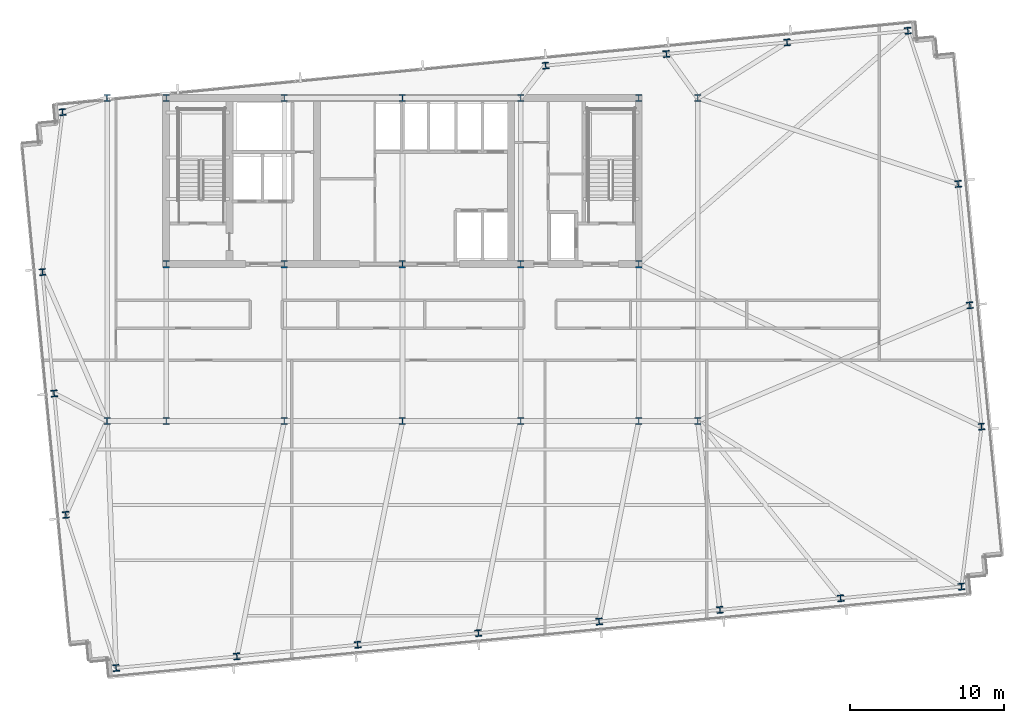
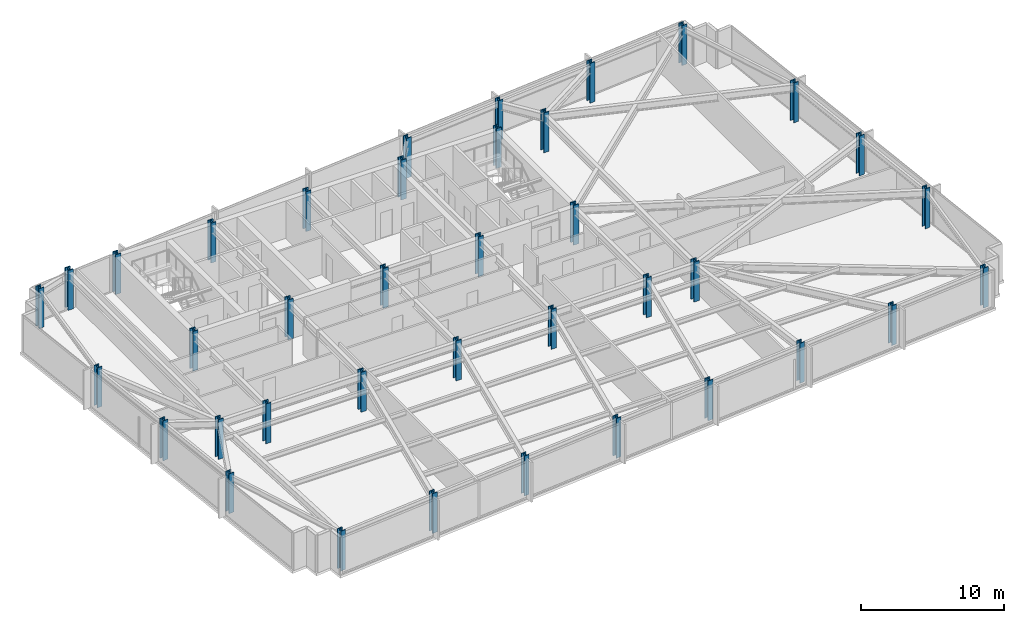
# One storey, part 1 of 32: 38 columns.
"""IFC4 building model written with IfcOpenShell, lengths in metres."""

from ifc_helpers import new_model, si_unit, direction, frame, origin, origin_2d, place, context, subcontext, project, spatial, i_section, extrude, material, material_profile, profile_set, type_object, element, save


model = new_model("IFC4")

# Units and contexts
model_context = context("Model", 3, precision=1e-05, world=origin(), true_north=direction((0.0, 1.0)))
body_context = subcontext(model_context, "Body", "Model", "MODEL_VIEW")
ifc_project = project(units=[si_unit("LENGTHUNIT", "METRE"), si_unit("AREAUNIT", "SQUARE_METRE"), si_unit("VOLUMEUNIT", "CUBIC_METRE"), si_unit("PLANEANGLEUNIT", "RADIAN"), si_unit("MASSUNIT", "GRAM", prefix="KILO")], contexts=[model_context])

# Site, building, storey
site_placement = place(None, origin())
site = spatial("IfcSite", under=ifc_project, at=site_placement, CompositionType="ELEMENT")
building_placement = place(site_placement, origin())
building = spatial("IfcBuilding", under=site, at=building_placement, Name="Yelkora Congress Tower", CompositionType="ELEMENT")
storey_placement = place(building_placement, frame((0.0, 0.0, 116.89990234375)))
storey = spatial("IfcBuildingStorey", under=building, at=storey_placement, Name="L31", CompositionType="ELEMENT", Elevation=116.89990234375)

# Columns
ifc_material = material(Name="Steel S460M", Category="steel")
ifc_material_profile_1 = material_profile(ifc_material, i_section(OverallWidth=0.412109375, OverallDepth=0.43505859375, WebThickness=0.035888671875, FlangeThickness=0.05810546875, FilletRadius=0.014892578125, at=origin_2d()), Name="HD 400x463")
ifc_profile_set_1 = profile_set([ifc_material_profile_1], Name="Steel S460M")
column_type_1 = type_object("IfcColumnType", Name="COL-HD-463-EXT", PredefinedType="COLUMN", material=ifc_profile_set_1)
for number, where, z_axis, x_axis, name in (
    (1, (19.785888671875, 9.144287109375, 0.0), (0.0, 0.0, 1.0), (0.995396198367, 0.09584575252, 0.0), "L31 Perimeter Column S01"),
    (2, (27.635498046875, 9.900146484375, 0.0), (0.0, 0.0, 1.0), (0.995396198367, 0.09584575252, 0.0), "L31 Perimeter Column S02"),
    (3, (35.48486328125, 10.656005859375, 0.0), (0.0, 0.0, 1.0), (0.995396198367, 0.09584575252, 0.0), "L31 Perimeter Column S03"),
    (4, (43.334228515625, 11.411865234375, 0.0), (0.0, 0.0, 1.0), (0.995396198367, 0.09584575252, 0.0), "L31 Perimeter Column S04"),
    (5, (51.18359375, 12.16748046875, 0.0), (0.0, 0.0, 1.0), (0.995396198367, 0.09584575252, 0.0), "L31 Perimeter Column S05"),
    (6, (59.033203125, 12.92333984375, 0.0), (0.0, 0.0, 1.0), (0.995396198367, 0.09584575252, 0.0), "L31 Perimeter Column S06"),
    (7, (66.882568359375, 13.67919921875, 0.0), (0.0, 0.0, 1.0), (0.995396198367, 0.09584575252, 0.0), "L31 Perimeter Column S07"),
    (8, (74.73193359375, 14.43505859375, 0.0), (0.0, 0.0, 1.0), (0.995396198367, 0.09584575252, 0.0), "L31 Perimeter Column S08"),
    (9, (16.306884765625, 45.27734375, 0.0), (0.0, 0.0, 1.0), (0.995396198367, 0.09584575252, 0.0), "L31 Perimeter Column N01"),
    (10, (47.70458984375, 48.300537109375, 0.0), (0.0, 0.0, 1.0), (0.995396198367, 0.09584575252, 0.0), "L31 Perimeter Column N05"),
    (11, (55.553955078125, 49.056396484375, 0.0), (0.0, 0.0, 1.0), (0.995396198367, 0.09584575252, 0.0), "L31 Perimeter Column N06"),
    (12, (63.4033203125, 49.81201171875, 0.0), (0.0, 0.0, 1.0), (0.995396198367, 0.09584575252, 0.0), "L31 Perimeter Column N07"),
    (13, (71.252685546875, 50.568115234375, 0.0), (0.0, 0.0, 1.0), (0.995396198367, 0.09584575252, 0.0), "L31 Perimeter Column N08"),
    (14, (16.5166015625, 19.101806640625, 0.0), (0.0, 0.0, 1.0), (0.995396198367, 0.09584575252, 0.0), "L31 Perimeter Column W01"),
    (15, (76.041259765625, 24.83349609375, 0.0), (0.0, 0.0, 1.0), (0.995396198367, 0.09584575252, 0.0), "L31 Perimeter Column E01"),
    (16, (15.757080078125, 26.990478515625, 0.0), (0.0, 0.0, 1.0), (0.995396198367, 0.09584575252, 0.0), "L31 Perimeter Column W02"),
    (17, (75.28173828125, 32.721923828125, 0.0), (0.0, 0.0, 1.0), (0.995396198367, 0.09584575252, 0.0), "L31 Perimeter Column E02"),
    (18, (14.997314453125, 34.87890625, 0.0), (0.0, 0.0, 1.0), (0.995396198367, 0.09584575252, 0.0), "L31 Perimeter Column W03"),
    (19, (74.522216796875, 40.610595703125, 0.0), (0.0, 0.0, 1.0), (0.995396198367, 0.09584575252, 0.0), "L31 Perimeter Column E03"),
):
    element("IfcColumn", number, at=place(storey_placement, frame(where, z_axis=z_axis, x_axis=x_axis)), inside=storey, type_object=column_type_1, Name=name, PredefinedType="COLUMN", context=body_context, shape_type="SweptSolid", body=[
        extrude(i_section(OverallWidth=0.412109375, OverallDepth=0.43505859375, WebThickness=0.035888671875, FlangeThickness=0.05810546875, FilletRadius=0.014892578125, at=origin_2d()), origin(), (0.0, 0.0, 1.0), 3.400146484375),
    ])
ifc_material_profile_2 = material_profile(ifc_material, i_section(OverallWidth=0.424072265625, OverallDepth=0.47412109375, WebThickness=0.047119140625, FlangeThickness=0.076904296875, FilletRadius=0.014892578125, at=origin_2d()), Name="HD 400x634")
ifc_profile_set_2 = profile_set([ifc_material_profile_2], Name="Steel S460M")
column_type_2 = type_object("IfcColumnType", Name="COL-HD-634", PredefinedType="COLUMN", material=ifc_profile_set_2)
for number, where, z_axis, x_axis, name in (
    (20, (23.0400390625, 35.39990234375, 0.0), (0.0, 0.0, 1.0), (1.0, 0.0, 0.0), "L31 Mega Column MC-S1"),
    (21, (23.0400390625, 46.199951171875, 0.0), (0.0, 0.0, 1.0), (1.0, 0.0, 0.0), "L31 Mega Column MC-N1"),
    (22, (23.0400390625, 25.199951171875, 0.0), (0.0, 0.0, 1.0), (1.0, 0.0, 0.0), "L31 Mega Column MC-D1"),
    (23, (30.719970703125, 35.39990234375, 0.0), (0.0, 0.0, 1.0), (1.0, 0.0, 0.0), "L31 Mega Column MC-S2"),
    (24, (30.719970703125, 46.199951171875, 0.0), (0.0, 0.0, 1.0), (1.0, 0.0, 0.0), "L31 Mega Column MC-N2"),
    (25, (30.719970703125, 25.199951171875, 0.0), (0.0, 0.0, 1.0), (1.0, 0.0, 0.0), "L31 Mega Column MC-D2"),
    (26, (38.39990234375, 35.39990234375, 0.0), (0.0, 0.0, 1.0), (1.0, 0.0, 0.0), "L31 Mega Column MC-S3"),
    (27, (38.39990234375, 46.199951171875, 0.0), (0.0, 0.0, 1.0), (1.0, 0.0, 0.0), "L31 Mega Column MC-N3"),
    (28, (38.39990234375, 25.199951171875, 0.0), (0.0, 0.0, 1.0), (1.0, 0.0, 0.0), "L31 Mega Column MC-D3"),
    (29, (46.080078125, 35.39990234375, 0.0), (0.0, 0.0, 1.0), (1.0, 0.0, 0.0), "L31 Mega Column MC-S4"),
    (30, (46.080078125, 46.199951171875, 0.0), (0.0, 0.0, 1.0), (1.0, 0.0, 0.0), "L31 Mega Column MC-N4"),
    (31, (46.080078125, 25.199951171875, 0.0), (0.0, 0.0, 1.0), (1.0, 0.0, 0.0), "L31 Mega Column MC-D4"),
    (32, (53.760009765625, 35.39990234375, 0.0), (0.0, 0.0, 1.0), (1.0, 0.0, 0.0), "L31 Mega Column MC-S5"),
    (33, (53.760009765625, 46.199951171875, 0.0), (0.0, 0.0, 1.0), (1.0, 0.0, 0.0), "L31 Mega Column MC-N5"),
    (34, (53.760009765625, 25.199951171875, 0.0), (0.0, 0.0, 1.0), (1.0, 0.0, 0.0), "L31 Mega Column MC-D5"),
    (35, (19.199951171875, 25.199951171875, 0.0), (0.0, 0.0, 1.0), (1.0, 0.0, 0.0), "L31 Mega Column MC-F1"),
    (36, (57.60009765625, 25.199951171875, 0.0), (0.0, 0.0, 1.0), (1.0, 0.0, 0.0), "L31 Mega Column MC-F2"),
    (37, (19.199951171875, 46.199951171875, 0.0), (0.0, 0.0, 1.0), (1.0, 0.0, 0.0), "L31 Mega Column MC-F3"),
    (38, (57.60009765625, 46.199951171875, 0.0), (0.0, 0.0, 1.0), (1.0, 0.0, 0.0), "L31 Mega Column MC-F4"),
):
    element("IfcColumn", number, at=place(storey_placement, frame(where, z_axis=z_axis, x_axis=x_axis)), inside=storey, type_object=column_type_2, Name=name, PredefinedType="COLUMN", context=body_context, shape_type="SweptSolid", body=[
        extrude(i_section(OverallWidth=0.424072265625, OverallDepth=0.47412109375, WebThickness=0.047119140625, FlangeThickness=0.076904296875, FilletRadius=0.014892578125, at=origin_2d()), origin(), (0.0, 0.0, 1.0), 3.400146484375),
    ])

save(model, "model.ifc")
